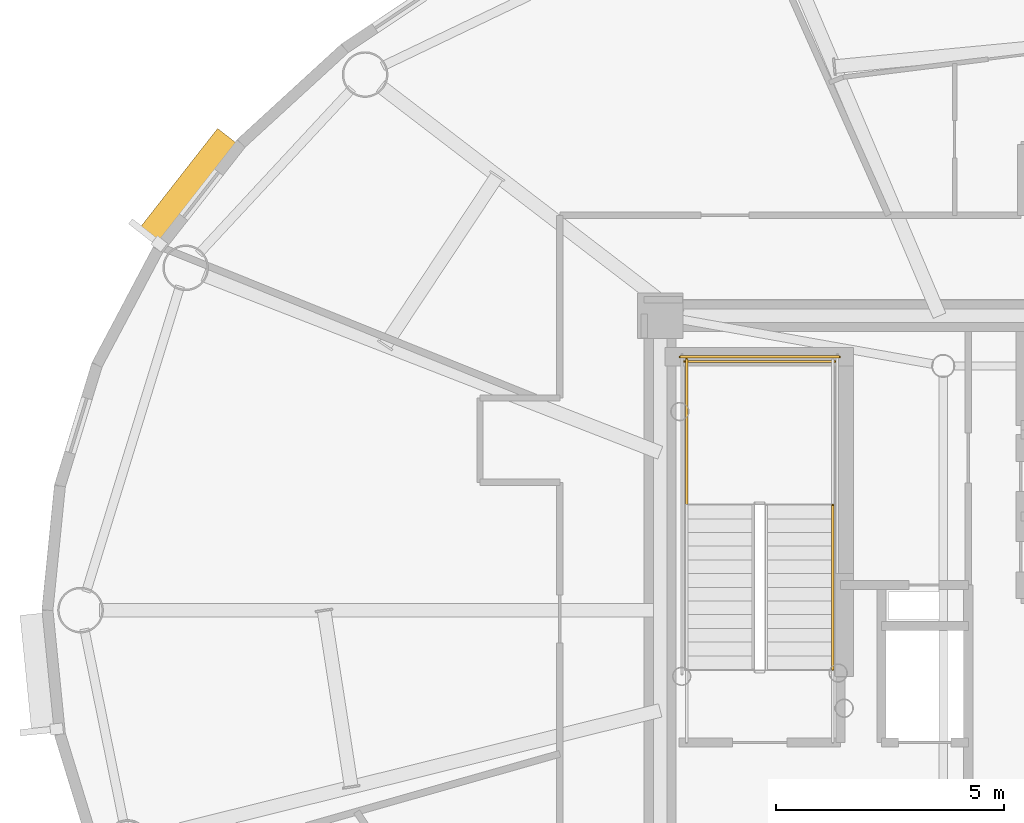
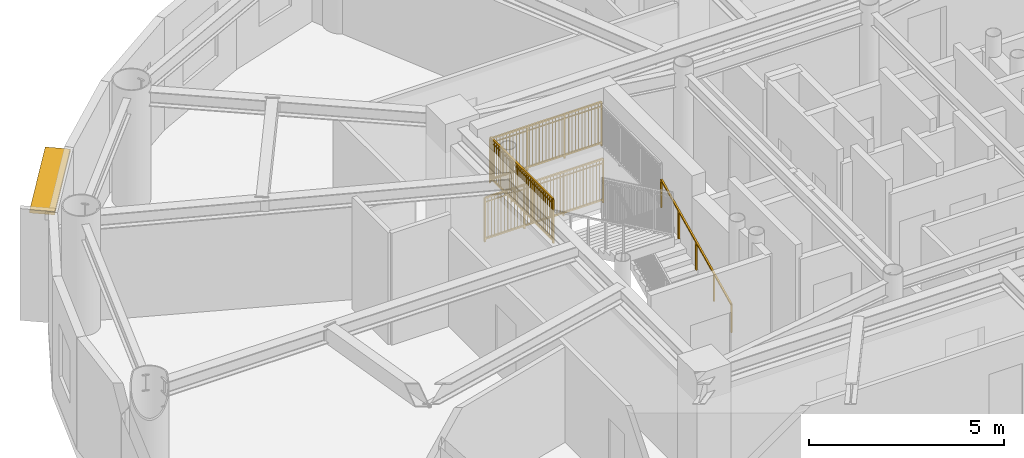
# One storey, part 14 of 16: 4 railings, 1 shading device.
"""IFC4 building model written with IfcOpenShell, lengths in metres."""

from ifc_helpers import new_model, si_unit, direction, frame, origin, origin_2d, place, context, subcontext, project, spatial, rectangle, extrude, source, transform, mapped, material, layer, layer_set, type_object, element, save


model = new_model("IFC4")

# Units and contexts
model_context = context("Model", 3, precision=1e-05, world=origin(), true_north=direction((0.0, 1.0)))
body_context = subcontext(model_context, "Body", "Model", "MODEL_VIEW")
ifc_project = project(units=[si_unit("LENGTHUNIT", "METRE"), si_unit("AREAUNIT", "SQUARE_METRE"), si_unit("VOLUMEUNIT", "CUBIC_METRE"), si_unit("PLANEANGLEUNIT", "RADIAN"), si_unit("MASSUNIT", "GRAM", prefix="KILO")], contexts=[model_context])

# Site, building, storey
site_placement = place(None, origin())
site = spatial("IfcSite", under=ifc_project, at=site_placement, CompositionType="ELEMENT")
building_placement = place(site_placement, origin())
building = spatial("IfcBuilding", under=site, at=building_placement, Name="Linh Dai School and Residence Tower", CompositionType="ELEMENT")
storey_placement = place(building_placement, frame((0.0, 0.0, 306.75)))
storey = spatial("IfcBuildingStorey", under=building, at=storey_placement, Name="L76", CompositionType="ELEMENT", Elevation=306.75)

# Shading device
ifc_material_1 = material(Name="Terracotta Ceramic Sunshade", Category="masonry")
ifc_layer = layer(ifc_material_1, 0.10009765625)
ifc_layer_set = layer_set([ifc_layer], Name="Terracotta Ceramic Sunshade")
shading_device_type = type_object("IfcShadingDeviceType", Name="SHD-TC-650", PredefinedType="USERDEFINED", material=ifc_layer_set)
shared_shape_1 = source(origin(), body_context, "Body", "SweptSolid", [
    extrude(rectangle(XDim=2.84033203125, YDim=0.64990234375, at=origin_2d()), origin(), (0.0, 0.0, 1.0), 0.10009765625),
])
shading_device_placement = place(storey_placement, frame((16.83349609375, 36.2353515625, 3.3798828125), z_axis=(0.0, 0.0, 1.0), x_axis=(0.616310813471, 0.78750300393, 0.0)))
element("IfcShadingDevice", 1, at=shading_device_placement, inside=storey, type_object=shading_device_type, Name="L76 Terracotta Horizontal Sunshade Band 17", ObjectType="SUNSHADE", PredefinedType="USERDEFINED", context=body_context, shape_type="MappedRepresentation", body=[
    mapped(shared_shape_1, transform((0.0, 0.0, 0.0), x_axis=(1.0, 0.0, 0.0), y_axis=(0.0, 1.0, 0.0), z_axis=(0.0, 0.0, 1.0), scale=1.0)),
])

# Railings
ifc_material_2 = material(Name="Structural Steel S355JR", Category="steel")
railing_type_1 = type_object("IfcRailingType", Name="RL-ST-GUARD-1400", PredefinedType="GUARDRAIL", material=ifc_material_2)
shared_shape_2 = source(origin(), body_context, "Body", "SweptSolid", [
    extrude(rectangle(XDim=0.048095703125, YDim=0.048095703125, at=origin_2d()), frame((0.0, 0.0, 1.3759765625), z_axis=(-1.0, 0.0, 0.0), x_axis=(0.0, -1.0, 0.0)), (0.0, 0.0, 1.0), 3.300048828125),
    extrude(rectangle(XDim=0.048095703125, YDim=0.048095703125, at=origin_2d()), frame((0.0, 0.0, 0.10009765625), z_axis=(-1.0, 0.0, 0.0), x_axis=(0.0, -1.0, 0.0)), (0.0, 0.0, 1.0), 3.300048828125),
    extrude(rectangle(XDim=0.030029296875, YDim=0.030029296875, at=origin_2d()), frame((0.0, 0.0, 1.239990234375), z_axis=(-1.0, 0.0, 0.0), x_axis=(0.0, -1.0, 0.0)), (0.0, 0.0, 1.0), 3.300048828125),
    extrude(rectangle(XDim=0.02001953125, YDim=0.02001953125, at=origin_2d()), frame((-0.09716796875, 0.0, 0.10009765625)), (0.0, 0.0, 1.0), 1.251708984375),
    extrude(rectangle(XDim=0.02001953125, YDim=0.02001953125, at=origin_2d()), frame((-0.194091796875, 0.0, 0.10009765625)), (0.0, 0.0, 1.0), 1.251708984375),
    extrude(rectangle(XDim=0.02001953125, YDim=0.02001953125, at=origin_2d()), frame((-0.291259765625, 0.0, 0.10009765625)), (0.0, 0.0, 1.0), 1.251708984375),
    extrude(rectangle(XDim=0.02001953125, YDim=0.02001953125, at=origin_2d()), frame((-0.38818359375, 0.0, 0.10009765625)), (0.0, 0.0, 1.0), 1.251708984375),
    extrude(rectangle(XDim=0.02001953125, YDim=0.02001953125, at=origin_2d()), frame((-0.4853515625, 0.0, 0.10009765625)), (0.0, 0.0, 1.0), 1.251708984375),
    extrude(rectangle(XDim=0.02001953125, YDim=0.02001953125, at=origin_2d()), frame((-0.582275390625, 0.0, 0.10009765625)), (0.0, 0.0, 1.0), 1.251708984375),
    extrude(rectangle(XDim=0.02001953125, YDim=0.02001953125, at=origin_2d()), frame((-0.679443359375, 0.0, 0.10009765625)), (0.0, 0.0, 1.0), 1.251708984375),
    extrude(rectangle(XDim=0.02001953125, YDim=0.02001953125, at=origin_2d()), frame((-0.7763671875, 0.0, 0.10009765625)), (0.0, 0.0, 1.0), 1.251708984375),
    extrude(rectangle(XDim=0.02001953125, YDim=0.02001953125, at=origin_2d()), frame((-0.87353515625, 0.0, 0.10009765625)), (0.0, 0.0, 1.0), 1.251708984375),
    extrude(rectangle(XDim=0.02001953125, YDim=0.02001953125, at=origin_2d()), frame((-0.970703125, 0.0, 0.10009765625)), (0.0, 0.0, 1.0), 1.251708984375),
    extrude(rectangle(XDim=0.02001953125, YDim=0.02001953125, at=origin_2d()), frame((-1.164794921875, 0.0, 0.10009765625)), (0.0, 0.0, 1.0), 1.251708984375),
    extrude(rectangle(XDim=0.02001953125, YDim=0.02001953125, at=origin_2d()), frame((-1.26171875, 0.0, 0.10009765625)), (0.0, 0.0, 1.0), 1.251708984375),
    extrude(rectangle(XDim=0.02001953125, YDim=0.02001953125, at=origin_2d()), frame((-1.35888671875, 0.0, 0.10009765625)), (0.0, 0.0, 1.0), 1.251708984375),
    extrude(rectangle(XDim=0.02001953125, YDim=0.02001953125, at=origin_2d()), frame((-1.455810546875, 0.0, 0.10009765625)), (0.0, 0.0, 1.0), 1.251708984375),
    extrude(rectangle(XDim=0.02001953125, YDim=0.02001953125, at=origin_2d()), frame((-1.552978515625, 0.0, 0.10009765625)), (0.0, 0.0, 1.0), 1.251708984375),
    extrude(rectangle(XDim=0.02001953125, YDim=0.02001953125, at=origin_2d()), frame((-1.64990234375, 0.0, 0.10009765625)), (0.0, 0.0, 1.0), 1.251708984375),
    extrude(rectangle(XDim=0.02001953125, YDim=0.02001953125, at=origin_2d()), frame((-1.7470703125, 0.0, 0.10009765625)), (0.0, 0.0, 1.0), 1.251708984375),
    extrude(rectangle(XDim=0.02001953125, YDim=0.02001953125, at=origin_2d()), frame((-1.84423828125, 0.0, 0.10009765625)), (0.0, 0.0, 1.0), 1.251708984375),
    extrude(rectangle(XDim=0.02001953125, YDim=0.02001953125, at=origin_2d()), frame((-1.941162109375, 0.0, 0.10009765625)), (0.0, 0.0, 1.0), 1.251708984375),
    extrude(rectangle(XDim=0.02001953125, YDim=0.02001953125, at=origin_2d()), frame((-2.038330078125, 0.0, 0.10009765625)), (0.0, 0.0, 1.0), 1.251708984375),
    extrude(rectangle(XDim=0.02001953125, YDim=0.02001953125, at=origin_2d()), frame((-2.13525390625, 0.0, 0.10009765625)), (0.0, 0.0, 1.0), 1.251708984375),
    extrude(rectangle(XDim=0.02001953125, YDim=0.02001953125, at=origin_2d()), frame((-2.329345703125, 0.0, 0.10009765625)), (0.0, 0.0, 1.0), 1.251708984375),
    extrude(rectangle(XDim=0.02001953125, YDim=0.02001953125, at=origin_2d()), frame((-2.426513671875, 0.0, 0.10009765625)), (0.0, 0.0, 1.0), 1.251708984375),
    extrude(rectangle(XDim=0.02001953125, YDim=0.02001953125, at=origin_2d()), frame((-2.523681640625, 0.0, 0.10009765625)), (0.0, 0.0, 1.0), 1.251708984375),
    extrude(rectangle(XDim=0.02001953125, YDim=0.02001953125, at=origin_2d()), frame((-2.62060546875, 0.0, 0.10009765625)), (0.0, 0.0, 1.0), 1.251708984375),
    extrude(rectangle(XDim=0.02001953125, YDim=0.02001953125, at=origin_2d()), frame((-2.7177734375, 0.0, 0.10009765625)), (0.0, 0.0, 1.0), 1.251708984375),
    extrude(rectangle(XDim=0.02001953125, YDim=0.02001953125, at=origin_2d()), frame((-2.814697265625, 0.0, 0.10009765625)), (0.0, 0.0, 1.0), 1.251708984375),
    extrude(rectangle(XDim=0.02001953125, YDim=0.02001953125, at=origin_2d()), frame((-2.911865234375, 0.0, 0.10009765625)), (0.0, 0.0, 1.0), 1.251708984375),
    extrude(rectangle(XDim=0.02001953125, YDim=0.02001953125, at=origin_2d()), frame((-3.0087890625, 0.0, 0.10009765625)), (0.0, 0.0, 1.0), 1.251708984375),
    extrude(rectangle(XDim=0.02001953125, YDim=0.02001953125, at=origin_2d()), frame((-3.10595703125, 0.0, 0.10009765625)), (0.0, 0.0, 1.0), 1.251708984375),
    extrude(rectangle(XDim=0.02001953125, YDim=0.02001953125, at=origin_2d()), frame((-3.202880859375, 0.0, 0.10009765625)), (0.0, 0.0, 1.0), 1.251708984375),
    extrude(rectangle(XDim=0.0419921875, YDim=0.0419921875, at=origin_2d()), origin(), (0.0, 0.0, 1.0), 1.3759765625),
    extrude(rectangle(XDim=0.0419921875, YDim=0.0419921875, at=origin_2d()), frame((-1.10009765625, 0.0, 0.0)), (0.0, 0.0, 1.0), 1.3759765625),
    extrude(rectangle(XDim=0.0419921875, YDim=0.0419921875, at=origin_2d()), frame((-2.199951171875, 0.0, 0.0)), (0.0, 0.0, 1.0), 1.3759765625),
    extrude(rectangle(XDim=0.0419921875, YDim=0.0419921875, at=origin_2d()), frame((-3.300048828125, 0.0, 0.0)), (0.0, 0.0, 1.0), 1.3759765625),
])
railing_1_placement = place(storey_placement, frame((30.97998046875, 32.449951171875, 1.875)))
element("IfcRailing", 2, at=railing_1_placement, inside=storey, type_object=railing_type_1, Name="L76 ST1 stair guard 5", PredefinedType="GUARDRAIL", context=body_context, shape_type="MappedRepresentation", body=[
    mapped(shared_shape_2, transform((0.0, 0.0, 0.0), x_axis=(1.0, 0.0, 0.0), y_axis=(0.0, 1.0, 0.0), z_axis=(0.0, 0.0, 1.0), scale=1.0)),
])
shared_shape_3 = source(origin(), body_context, "Body", "SweptSolid", [
    extrude(rectangle(XDim=0.048095703125, YDim=0.048095703125, at=origin_2d()), frame((0.0, 0.0, 1.3759765625), z_axis=(-1.0, 0.0, 0.0), x_axis=(0.0, -1.0, 0.0)), (0.0, 0.0, 1.0), 3.5),
    extrude(rectangle(XDim=0.048095703125, YDim=0.048095703125, at=origin_2d()), frame((0.0, 0.0, 0.10009765625), z_axis=(-1.0, 0.0, 0.0), x_axis=(0.0, -1.0, 0.0)), (0.0, 0.0, 1.0), 3.5),
    extrude(rectangle(XDim=0.030029296875, YDim=0.030029296875, at=origin_2d()), frame((0.0, 0.0, 1.239990234375), z_axis=(-1.0, 0.0, 0.0), x_axis=(0.0, -1.0, 0.0)), (0.0, 0.0, 1.0), 3.5),
    extrude(rectangle(XDim=0.02001953125, YDim=0.02001953125, at=origin_2d()), frame((-0.09716796875, 0.0, 0.10009765625)), (0.0, 0.0, 1.0), 1.251708984375),
    extrude(rectangle(XDim=0.02001953125, YDim=0.02001953125, at=origin_2d()), frame((-0.1943359375, 0.0, 0.10009765625)), (0.0, 0.0, 1.0), 1.251708984375),
    extrude(rectangle(XDim=0.02001953125, YDim=0.02001953125, at=origin_2d()), frame((-0.291748046875, 0.0, 0.10009765625)), (0.0, 0.0, 1.0), 1.251708984375),
    extrude(rectangle(XDim=0.02001953125, YDim=0.02001953125, at=origin_2d()), frame((-0.388916015625, 0.0, 0.10009765625)), (0.0, 0.0, 1.0), 1.251708984375),
    extrude(rectangle(XDim=0.02001953125, YDim=0.02001953125, at=origin_2d()), frame((-0.486083984375, 0.0, 0.10009765625)), (0.0, 0.0, 1.0), 1.251708984375),
    extrude(rectangle(XDim=0.02001953125, YDim=0.02001953125, at=origin_2d()), frame((-0.583251953125, 0.0, 0.10009765625)), (0.0, 0.0, 1.0), 1.251708984375),
    extrude(rectangle(XDim=0.02001953125, YDim=0.02001953125, at=origin_2d()), frame((-0.6806640625, 0.0, 0.10009765625)), (0.0, 0.0, 1.0), 1.251708984375),
    extrude(rectangle(XDim=0.02001953125, YDim=0.02001953125, at=origin_2d()), frame((-0.77783203125, 0.0, 0.10009765625)), (0.0, 0.0, 1.0), 1.251708984375),
    extrude(rectangle(XDim=0.02001953125, YDim=0.02001953125, at=origin_2d()), frame((-0.875, 0.0, 0.10009765625)), (0.0, 0.0, 1.0), 1.251708984375),
    extrude(rectangle(XDim=0.02001953125, YDim=0.02001953125, at=origin_2d()), frame((-0.97216796875, 0.0, 0.10009765625)), (0.0, 0.0, 1.0), 1.251708984375),
    extrude(rectangle(XDim=0.02001953125, YDim=0.02001953125, at=origin_2d()), frame((-1.0693359375, 0.0, 0.10009765625)), (0.0, 0.0, 1.0), 1.251708984375),
    extrude(rectangle(XDim=0.02001953125, YDim=0.02001953125, at=origin_2d()), frame((-1.263916015625, 0.0, 0.10009765625)), (0.0, 0.0, 1.0), 1.251708984375),
    extrude(rectangle(XDim=0.02001953125, YDim=0.02001953125, at=origin_2d()), frame((-1.361083984375, 0.0, 0.10009765625)), (0.0, 0.0, 1.0), 1.251708984375),
    extrude(rectangle(XDim=0.02001953125, YDim=0.02001953125, at=origin_2d()), frame((-1.458251953125, 0.0, 0.10009765625)), (0.0, 0.0, 1.0), 1.251708984375),
    extrude(rectangle(XDim=0.02001953125, YDim=0.02001953125, at=origin_2d()), frame((-1.5556640625, 0.0, 0.10009765625)), (0.0, 0.0, 1.0), 1.251708984375),
    extrude(rectangle(XDim=0.02001953125, YDim=0.02001953125, at=origin_2d()), frame((-1.65283203125, 0.0, 0.10009765625)), (0.0, 0.0, 1.0), 1.251708984375),
    extrude(rectangle(XDim=0.02001953125, YDim=0.02001953125, at=origin_2d()), frame((-1.75, 0.0, 0.10009765625)), (0.0, 0.0, 1.0), 1.251708984375),
    extrude(rectangle(XDim=0.02001953125, YDim=0.02001953125, at=origin_2d()), frame((-1.84716796875, 0.0, 0.10009765625)), (0.0, 0.0, 1.0), 1.251708984375),
    extrude(rectangle(XDim=0.02001953125, YDim=0.02001953125, at=origin_2d()), frame((-1.9443359375, 0.0, 0.10009765625)), (0.0, 0.0, 1.0), 1.251708984375),
    extrude(rectangle(XDim=0.02001953125, YDim=0.02001953125, at=origin_2d()), frame((-2.041748046875, 0.0, 0.10009765625)), (0.0, 0.0, 1.0), 1.251708984375),
    extrude(rectangle(XDim=0.02001953125, YDim=0.02001953125, at=origin_2d()), frame((-2.138916015625, 0.0, 0.10009765625)), (0.0, 0.0, 1.0), 1.251708984375),
    extrude(rectangle(XDim=0.02001953125, YDim=0.02001953125, at=origin_2d()), frame((-2.236083984375, 0.0, 0.10009765625)), (0.0, 0.0, 1.0), 1.251708984375),
    extrude(rectangle(XDim=0.02001953125, YDim=0.02001953125, at=origin_2d()), frame((-2.4306640625, 0.0, 0.10009765625)), (0.0, 0.0, 1.0), 1.251708984375),
    extrude(rectangle(XDim=0.02001953125, YDim=0.02001953125, at=origin_2d()), frame((-2.52783203125, 0.0, 0.10009765625)), (0.0, 0.0, 1.0), 1.251708984375),
    extrude(rectangle(XDim=0.02001953125, YDim=0.02001953125, at=origin_2d()), frame((-2.625, 0.0, 0.10009765625)), (0.0, 0.0, 1.0), 1.251708984375),
    extrude(rectangle(XDim=0.02001953125, YDim=0.02001953125, at=origin_2d()), frame((-2.72216796875, 0.0, 0.10009765625)), (0.0, 0.0, 1.0), 1.251708984375),
    extrude(rectangle(XDim=0.02001953125, YDim=0.02001953125, at=origin_2d()), frame((-2.8193359375, 0.0, 0.10009765625)), (0.0, 0.0, 1.0), 1.251708984375),
    extrude(rectangle(XDim=0.02001953125, YDim=0.02001953125, at=origin_2d()), frame((-2.916748046875, 0.0, 0.10009765625)), (0.0, 0.0, 1.0), 1.251708984375),
    extrude(rectangle(XDim=0.02001953125, YDim=0.02001953125, at=origin_2d()), frame((-3.013916015625, 0.0, 0.10009765625)), (0.0, 0.0, 1.0), 1.251708984375),
    extrude(rectangle(XDim=0.02001953125, YDim=0.02001953125, at=origin_2d()), frame((-3.111083984375, 0.0, 0.10009765625)), (0.0, 0.0, 1.0), 1.251708984375),
    extrude(rectangle(XDim=0.02001953125, YDim=0.02001953125, at=origin_2d()), frame((-3.208251953125, 0.0, 0.10009765625)), (0.0, 0.0, 1.0), 1.251708984375),
    extrude(rectangle(XDim=0.02001953125, YDim=0.02001953125, at=origin_2d()), frame((-3.3056640625, 0.0, 0.10009765625)), (0.0, 0.0, 1.0), 1.251708984375),
    extrude(rectangle(XDim=0.02001953125, YDim=0.02001953125, at=origin_2d()), frame((-3.40283203125, 0.0, 0.10009765625)), (0.0, 0.0, 1.0), 1.251708984375),
    extrude(rectangle(XDim=0.0419921875, YDim=0.0419921875, at=origin_2d()), origin(), (0.0, 0.0, 1.0), 1.3759765625),
    extrude(rectangle(XDim=0.0419921875, YDim=0.0419921875, at=origin_2d()), frame((-1.166748046875, 0.0, 0.0)), (0.0, 0.0, 1.0), 1.3759765625),
    extrude(rectangle(XDim=0.0419921875, YDim=0.0419921875, at=origin_2d()), frame((-2.333251953125, 0.0, 0.0)), (0.0, 0.0, 1.0), 1.3759765625),
    extrude(rectangle(XDim=0.0419921875, YDim=0.0419921875, at=origin_2d()), frame((-3.5, 0.0, 0.0)), (0.0, 0.0, 1.0), 1.3759765625),
])
railing_2_placement = place(storey_placement, frame((31.080078125, 32.550048828125, 0.0)))
element("IfcRailing", 3, at=railing_2_placement, inside=storey, type_object=railing_type_1, Name="L76 ST1 stair guard 12", PredefinedType="GUARDRAIL", context=body_context, shape_type="MappedRepresentation", body=[
    mapped(shared_shape_3, transform((0.0, 0.0, 0.0), x_axis=(1.0, 0.0, 0.0), y_axis=(0.0, 1.0, 0.0), z_axis=(0.0, 0.0, 1.0), scale=1.0)),
])
shared_shape_4 = source(origin(), body_context, "Body", "SweptSolid", [
    extrude(rectangle(XDim=0.048095703125, YDim=0.048095703125, at=origin_2d()), frame((0.0, 0.0, 1.3759765625), z_axis=(0.0, 1.0, 0.0), x_axis=(-1.0, 0.0, 0.0)), (0.0, 0.0, 1.0), 3.199951171875),
    extrude(rectangle(XDim=0.048095703125, YDim=0.048095703125, at=origin_2d()), frame((0.0, 0.0, 0.10009765625), z_axis=(0.0, 1.0, 0.0), x_axis=(-1.0, 0.0, 0.0)), (0.0, 0.0, 1.0), 3.199951171875),
    extrude(rectangle(XDim=0.030029296875, YDim=0.030029296875, at=origin_2d()), frame((0.0, 0.0, 1.239990234375), z_axis=(0.0, 1.0, 0.0), x_axis=(-1.0, 0.0, 0.0)), (0.0, 0.0, 1.0), 3.199951171875),
    extrude(rectangle(XDim=0.02001953125, YDim=0.02001953125, at=origin_2d()), frame((0.0, 0.096923828125, 0.10009765625)), (0.0, 0.0, 1.0), 1.251708984375),
    extrude(rectangle(XDim=0.02001953125, YDim=0.02001953125, at=origin_2d()), frame((0.0, 0.19384765625, 0.10009765625)), (0.0, 0.0, 1.0), 1.251708984375),
    extrude(rectangle(XDim=0.02001953125, YDim=0.02001953125, at=origin_2d()), frame((0.0, 0.291015625, 0.10009765625)), (0.0, 0.0, 1.0), 1.251708984375),
    extrude(rectangle(XDim=0.02001953125, YDim=0.02001953125, at=origin_2d()), frame((0.0, 0.387939453125, 0.10009765625)), (0.0, 0.0, 1.0), 1.251708984375),
    extrude(rectangle(XDim=0.02001953125, YDim=0.02001953125, at=origin_2d()), frame((0.0, 0.48486328125, 0.10009765625)), (0.0, 0.0, 1.0), 1.251708984375),
    extrude(rectangle(XDim=0.02001953125, YDim=0.02001953125, at=origin_2d()), frame((0.0, 0.581787109375, 0.10009765625)), (0.0, 0.0, 1.0), 1.251708984375),
    extrude(rectangle(XDim=0.02001953125, YDim=0.02001953125, at=origin_2d()), frame((0.0, 0.6787109375, 0.10009765625)), (0.0, 0.0, 1.0), 1.251708984375),
    extrude(rectangle(XDim=0.02001953125, YDim=0.02001953125, at=origin_2d()), frame((0.0, 0.775634765625, 0.10009765625)), (0.0, 0.0, 1.0), 1.251708984375),
    extrude(rectangle(XDim=0.02001953125, YDim=0.02001953125, at=origin_2d()), frame((0.0, 0.872802734375, 0.10009765625)), (0.0, 0.0, 1.0), 1.251708984375),
    extrude(rectangle(XDim=0.02001953125, YDim=0.02001953125, at=origin_2d()), frame((0.0, 0.9697265625, 0.10009765625)), (0.0, 0.0, 1.0), 1.251708984375),
    extrude(rectangle(XDim=0.02001953125, YDim=0.02001953125, at=origin_2d()), frame((0.0, 1.16357421875, 0.10009765625)), (0.0, 0.0, 1.0), 1.251708984375),
    extrude(rectangle(XDim=0.02001953125, YDim=0.02001953125, at=origin_2d()), frame((0.0, 1.260498046875, 0.10009765625)), (0.0, 0.0, 1.0), 1.251708984375),
    extrude(rectangle(XDim=0.02001953125, YDim=0.02001953125, at=origin_2d()), frame((0.0, 1.357666015625, 0.10009765625)), (0.0, 0.0, 1.0), 1.251708984375),
    extrude(rectangle(XDim=0.02001953125, YDim=0.02001953125, at=origin_2d()), frame((0.0, 1.45458984375, 0.10009765625)), (0.0, 0.0, 1.0), 1.251708984375),
    extrude(rectangle(XDim=0.02001953125, YDim=0.02001953125, at=origin_2d()), frame((0.0, 1.551513671875, 0.10009765625)), (0.0, 0.0, 1.0), 1.251708984375),
    extrude(rectangle(XDim=0.02001953125, YDim=0.02001953125, at=origin_2d()), frame((0.0, 1.6484375, 0.10009765625)), (0.0, 0.0, 1.0), 1.251708984375),
    extrude(rectangle(XDim=0.02001953125, YDim=0.02001953125, at=origin_2d()), frame((0.0, 1.745361328125, 0.10009765625)), (0.0, 0.0, 1.0), 1.251708984375),
    extrude(rectangle(XDim=0.02001953125, YDim=0.02001953125, at=origin_2d()), frame((0.0, 1.84228515625, 0.10009765625)), (0.0, 0.0, 1.0), 1.251708984375),
    extrude(rectangle(XDim=0.02001953125, YDim=0.02001953125, at=origin_2d()), frame((0.0, 1.939453125, 0.10009765625)), (0.0, 0.0, 1.0), 1.251708984375),
    extrude(rectangle(XDim=0.02001953125, YDim=0.02001953125, at=origin_2d()), frame((0.0, 2.036376953125, 0.10009765625)), (0.0, 0.0, 1.0), 1.251708984375),
    extrude(rectangle(XDim=0.02001953125, YDim=0.02001953125, at=origin_2d()), frame((0.0, 2.230224609375, 0.10009765625)), (0.0, 0.0, 1.0), 1.251708984375),
    extrude(rectangle(XDim=0.02001953125, YDim=0.02001953125, at=origin_2d()), frame((0.0, 2.3271484375, 0.10009765625)), (0.0, 0.0, 1.0), 1.251708984375),
    extrude(rectangle(XDim=0.02001953125, YDim=0.02001953125, at=origin_2d()), frame((0.0, 2.42431640625, 0.10009765625)), (0.0, 0.0, 1.0), 1.251708984375),
    extrude(rectangle(XDim=0.02001953125, YDim=0.02001953125, at=origin_2d()), frame((0.0, 2.521240234375, 0.10009765625)), (0.0, 0.0, 1.0), 1.251708984375),
    extrude(rectangle(XDim=0.02001953125, YDim=0.02001953125, at=origin_2d()), frame((0.0, 2.6181640625, 0.10009765625)), (0.0, 0.0, 1.0), 1.251708984375),
    extrude(rectangle(XDim=0.02001953125, YDim=0.02001953125, at=origin_2d()), frame((0.0, 2.715087890625, 0.10009765625)), (0.0, 0.0, 1.0), 1.251708984375),
    extrude(rectangle(XDim=0.02001953125, YDim=0.02001953125, at=origin_2d()), frame((0.0, 2.81201171875, 0.10009765625)), (0.0, 0.0, 1.0), 1.251708984375),
    extrude(rectangle(XDim=0.02001953125, YDim=0.02001953125, at=origin_2d()), frame((0.0, 2.908935546875, 0.10009765625)), (0.0, 0.0, 1.0), 1.251708984375),
    extrude(rectangle(XDim=0.02001953125, YDim=0.02001953125, at=origin_2d()), frame((0.0, 3.006103515625, 0.10009765625)), (0.0, 0.0, 1.0), 1.251708984375),
    extrude(rectangle(XDim=0.02001953125, YDim=0.02001953125, at=origin_2d()), frame((0.0, 3.10302734375, 0.10009765625)), (0.0, 0.0, 1.0), 1.251708984375),
    extrude(rectangle(XDim=0.0419921875, YDim=0.0419921875, at=origin_2d()), origin(), (0.0, 0.0, 1.0), 1.3759765625),
    extrude(rectangle(XDim=0.0419921875, YDim=0.0419921875, at=origin_2d()), frame((0.0, 1.066650390625, 0.0)), (0.0, 0.0, 1.0), 1.3759765625),
    extrude(rectangle(XDim=0.0419921875, YDim=0.0419921875, at=origin_2d()), frame((0.0, 2.13330078125, 0.0)), (0.0, 0.0, 1.0), 1.3759765625),
    extrude(rectangle(XDim=0.0419921875, YDim=0.0419921875, at=origin_2d()), frame((0.0, 3.199951171875, 0.0)), (0.0, 0.0, 1.0), 1.3759765625),
])
railing_3_placement = place(storey_placement, frame((27.72998046875, 29.300048828125, 1.875)))
element("IfcRailing", 4, at=railing_3_placement, inside=storey, type_object=railing_type_1, Name="L76 ST1 stair guard 4", PredefinedType="GUARDRAIL", context=body_context, shape_type="MappedRepresentation", body=[
    mapped(shared_shape_4, transform((0.0, 0.0, 0.0), x_axis=(1.0, 0.0, 0.0), y_axis=(0.0, 1.0, 0.0), z_axis=(0.0, 0.0, 1.0), scale=1.0)),
])
ifc_material_3 = material(Name="Brushed Stainless Steel Handrail", Category="steel")
railing_type_2 = type_object("IfcRailingType", Name="RL-ST-HANDRAIL-900", PredefinedType="HANDRAIL", material=ifc_material_3)
shared_shape_5 = source(origin(), body_context, "Body", "SweptSolid", [
    extrude(rectangle(XDim=0.048095703125, YDim=0.048095703125, at=origin_2d()), frame((0.0, 0.0, 0.8759765625), z_axis=(0.0, 0.901262522062, 0.433273431364), x_axis=(-1.0, 0.0, 0.0)), (0.0, 0.0, 1.0), 3.994384765625),
    extrude(rectangle(XDim=0.0419921875, YDim=0.0419921875, at=origin_2d()), origin(), (0.0, 0.0, 1.0), 0.8759765625),
    extrude(rectangle(XDim=0.0419921875, YDim=0.0419921875, at=origin_2d()), frame((0.0, 0.89990234375, 0.4326171875)), (0.0, 0.0, 1.0), 0.8759765625),
    extrude(rectangle(XDim=0.0419921875, YDim=0.0419921875, at=origin_2d()), frame((0.0, 1.800048828125, 0.865234375)), (0.0, 0.0, 1.0), 0.8759765625),
    extrude(rectangle(XDim=0.0419921875, YDim=0.0419921875, at=origin_2d()), frame((0.0, 2.7001953125, 1.298095703125)), (0.0, 0.0, 1.0), 0.8759765625),
    extrude(rectangle(XDim=0.0419921875, YDim=0.0419921875, at=origin_2d()), frame((0.0, 3.60009765625, 1.730712890625)), (0.0, 0.0, 1.0), 0.8759765625),
])
railing_4_placement = place(storey_placement, frame((30.929931640625, 25.699951171875, 0.144287109375)))
element("IfcRailing", 5, at=railing_4_placement, inside=storey, type_object=railing_type_2, Name="L76 ST1 stair handrail 1", PredefinedType="HANDRAIL", context=body_context, shape_type="MappedRepresentation", body=[
    mapped(shared_shape_5, transform((0.0, 0.0, 0.0), x_axis=(1.0, 0.0, 0.0), y_axis=(0.0, 1.0, 0.0), z_axis=(0.0, 0.0, 1.0), scale=1.0)),
])

save(model, "model.ifc")
